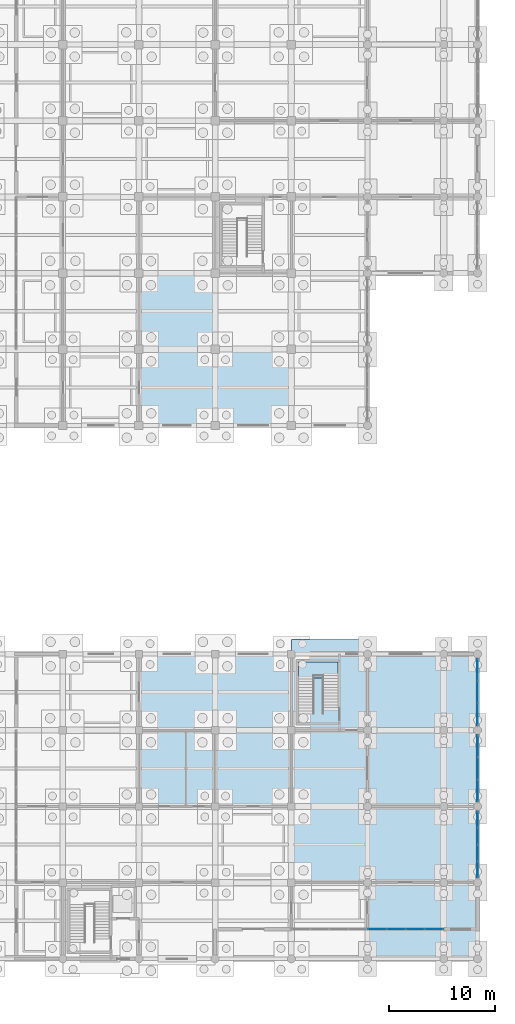
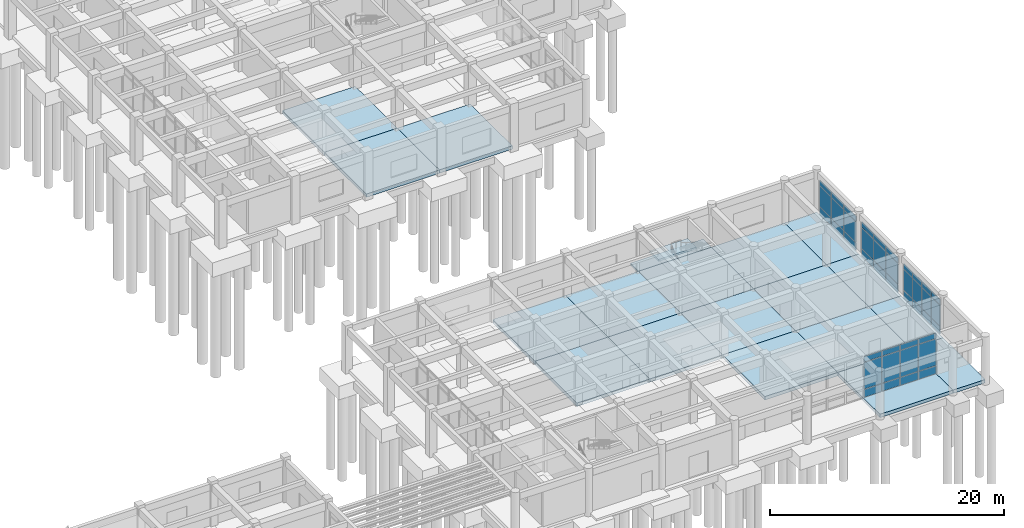
# One storey, part 50 of 79: 42 plates, 20 slabs, 5 elements without a shape of their own.
"""IFC4 building model written with IfcOpenShell, lengths in metres."""

from ifc_helpers import new_model, si_unit, direction, frame, origin, origin_2d, place, context, subcontext, project, spatial, polyline, rectangle, outline, extrude, material, layer, layer_set, type_object, element, aggregate, save


model = new_model("IFC4")

# Units and contexts
model_context = context("Model", 3, precision=1e-05, world=origin(), true_north=direction((0.0, 1.0)))
body_context = subcontext(model_context, "Body", "Model", "MODEL_VIEW")
ifc_project = project(units=[si_unit("LENGTHUNIT", "METRE"), si_unit("AREAUNIT", "SQUARE_METRE"), si_unit("VOLUMEUNIT", "CUBIC_METRE"), si_unit("PLANEANGLEUNIT", "RADIAN"), si_unit("MASSUNIT", "GRAM", prefix="KILO")], contexts=[model_context])

# Site, building, storey
site_placement = place(None, origin())
site = spatial("IfcSite", under=ifc_project, at=site_placement, CompositionType="ELEMENT")
building_placement = place(site_placement, origin())
building = spatial("IfcBuilding", under=site, at=building_placement, Name="Kavelor Marine Aquarium", CompositionType="ELEMENT")
storey_placement = place(building_placement, origin())
storey = spatial("IfcBuildingStorey", under=building, at=storey_placement, Name="L00", CompositionType="ELEMENT", Elevation=0.0)

# Curtain wall, plates
ifc_material_1 = material(Name="Thermally Broken Aluminium and Low-E Glass", Category="aluminium")
ifc_layer_1 = layer(ifc_material_1, 0.260009765625)
ifc_layer_set_1 = layer_set([ifc_layer_1], Name="CW-SYS15")
curtain_wall_type_1 = type_object("IfcCurtainWallType", Name="CW-SYS15", PredefinedType="USERDEFINED", material=ifc_layer_set_1)
curtain_wall_1_placement = place(storey_placement, origin())
curtain_wall_1 = element("IfcCurtainWall", 1, at=curtain_wall_1_placement, inside=storey, type_object=curtain_wall_type_1, Name="cw:arc:v3s:21", ObjectType="Curtain Wall", PredefinedType="USERDEFINED")
ifc_material_2 = material(Name="Solar-Control Double Low-E Glazing", Category="glass")
ifc_layer_2 = layer(ifc_material_2, 0.030029296875)
ifc_layer_set_2 = layer_set([ifc_layer_2], Name="CWP-03")
plate_type_1 = type_object("IfcPlateType", Name="CWP-03", PredefinedType="CURTAIN_PANEL", material=ifc_layer_set_2)
plate_1_placement = place(storey_placement, frame((160.68505859375, 5.60009765625, 0.06494140625), z_axis=(0.0, 0.0, 1.0), x_axis=(-1.0, 0.0, 0.0)))
plate_1 = element("IfcPlate", 2, at=plate_1_placement, type_object=plate_type_1, Name="CW15 panel 1.1", PredefinedType="CURTAIN_PANEL", context=body_context, shape_type="SweptSolid", body=[
    extrude(rectangle(XDim=1.7099609375, YDim=0.030029296875, at=origin_2d()), origin(), (0.0, 0.0, 1.0), 0.802490234375),
])
plate_2_placement = place(storey_placement, frame((160.68505859375, 5.60009765625, 0.9326171875), z_axis=(0.0, 0.0, 1.0), x_axis=(-1.0, 0.0, 0.0)))
plate_2 = element("IfcPlate", 3, at=plate_2_placement, type_object=plate_type_1, Name="CW15 panel 1.2", PredefinedType="CURTAIN_PANEL", context=body_context, shape_type="SweptSolid", body=[
    extrude(rectangle(XDim=1.7099609375, YDim=0.030029296875, at=origin_2d()), origin(), (0.0, 0.0, 1.0), 2.7548828125),
])
plate_3_placement = place(storey_placement, frame((160.68505859375, 5.60009765625, 3.75244140625), z_axis=(0.0, 0.0, 1.0), x_axis=(-1.0, 0.0, 0.0)))
plate_3 = element("IfcPlate", 4, at=plate_3_placement, type_object=plate_type_1, Name="CW15 panel 1.3", PredefinedType="CURTAIN_PANEL", context=body_context, shape_type="SweptSolid", body=[
    extrude(rectangle(XDim=1.7099609375, YDim=0.030029296875, at=origin_2d()), origin(), (0.0, 0.0, 1.0), 0.552490234375),
])
plate_4_placement = place(storey_placement, frame((158.89990234375, 5.60009765625, 0.06494140625), z_axis=(0.0, 0.0, 1.0), x_axis=(-1.0, 0.0, 0.0)))
plate_4 = element("IfcPlate", 5, at=plate_4_placement, type_object=plate_type_1, Name="CW15 panel 2.1", PredefinedType="CURTAIN_PANEL", context=body_context, shape_type="SweptSolid", body=[
    extrude(rectangle(XDim=1.739990234375, YDim=0.030029296875, at=origin_2d()), origin(), (0.0, 0.0, 1.0), 0.802490234375),
])
plate_5_placement = place(storey_placement, frame((158.89990234375, 5.60009765625, 0.9326171875), z_axis=(0.0, 0.0, 1.0), x_axis=(-1.0, 0.0, 0.0)))
plate_5 = element("IfcPlate", 6, at=plate_5_placement, type_object=plate_type_1, Name="CW15 panel 2.2", PredefinedType="CURTAIN_PANEL", context=body_context, shape_type="SweptSolid", body=[
    extrude(rectangle(XDim=1.739990234375, YDim=0.030029296875, at=origin_2d()), origin(), (0.0, 0.0, 1.0), 2.7548828125),
])
plate_6_placement = place(storey_placement, frame((158.89990234375, 5.60009765625, 3.75244140625), z_axis=(0.0, 0.0, 1.0), x_axis=(-1.0, 0.0, 0.0)))
plate_6 = element("IfcPlate", 7, at=plate_6_placement, type_object=plate_type_1, Name="CW15 panel 2.3", PredefinedType="CURTAIN_PANEL", context=body_context, shape_type="SweptSolid", body=[
    extrude(rectangle(XDim=1.739990234375, YDim=0.030029296875, at=origin_2d()), origin(), (0.0, 0.0, 1.0), 0.552490234375),
])
plate_7_placement = place(storey_placement, frame((157.10009765625, 5.60009765625, 0.06494140625), z_axis=(0.0, 0.0, 1.0), x_axis=(-1.0, 0.0, 0.0)))
plate_7 = element("IfcPlate", 8, at=plate_7_placement, type_object=plate_type_1, Name="CW15 panel 3.1", PredefinedType="CURTAIN_PANEL", context=body_context, shape_type="SweptSolid", body=[
    extrude(rectangle(XDim=1.739990234375, YDim=0.030029296875, at=origin_2d()), origin(), (0.0, 0.0, 1.0), 0.802490234375),
])
plate_8_placement = place(storey_placement, frame((157.10009765625, 5.60009765625, 0.9326171875), z_axis=(0.0, 0.0, 1.0), x_axis=(-1.0, 0.0, 0.0)))
plate_8 = element("IfcPlate", 9, at=plate_8_placement, type_object=plate_type_1, Name="CW15 panel 3.2", PredefinedType="CURTAIN_PANEL", context=body_context, shape_type="SweptSolid", body=[
    extrude(rectangle(XDim=1.739990234375, YDim=0.030029296875, at=origin_2d()), origin(), (0.0, 0.0, 1.0), 2.7548828125),
])
plate_9_placement = place(storey_placement, frame((157.10009765625, 5.60009765625, 3.75244140625), z_axis=(0.0, 0.0, 1.0), x_axis=(-1.0, 0.0, 0.0)))
plate_9 = element("IfcPlate", 10, at=plate_9_placement, type_object=plate_type_1, Name="CW15 panel 3.3", PredefinedType="CURTAIN_PANEL", context=body_context, shape_type="SweptSolid", body=[
    extrude(rectangle(XDim=1.739990234375, YDim=0.030029296875, at=origin_2d()), origin(), (0.0, 0.0, 1.0), 0.552490234375),
])
plate_10_placement = place(storey_placement, frame((155.31494140625, 5.60009765625, 0.06494140625), z_axis=(0.0, 0.0, 1.0), x_axis=(-1.0, 0.0, 0.0)))
plate_10 = element("IfcPlate", 11, at=plate_10_placement, type_object=plate_type_1, Name="CW15 panel 4.1", PredefinedType="CURTAIN_PANEL", context=body_context, shape_type="SweptSolid", body=[
    extrude(rectangle(XDim=1.7099609375, YDim=0.030029296875, at=origin_2d()), origin(), (0.0, 0.0, 1.0), 0.802490234375),
])
plate_11_placement = place(storey_placement, frame((155.31494140625, 5.60009765625, 0.9326171875), z_axis=(0.0, 0.0, 1.0), x_axis=(-1.0, 0.0, 0.0)))
plate_11 = element("IfcPlate", 12, at=plate_11_placement, type_object=plate_type_1, Name="CW15 panel 4.2", PredefinedType="CURTAIN_PANEL", context=body_context, shape_type="SweptSolid", body=[
    extrude(rectangle(XDim=1.7099609375, YDim=0.030029296875, at=origin_2d()), origin(), (0.0, 0.0, 1.0), 2.7548828125),
])
plate_12_placement = place(storey_placement, frame((155.31494140625, 5.60009765625, 3.75244140625), z_axis=(0.0, 0.0, 1.0), x_axis=(-1.0, 0.0, 0.0)))
plate_12 = element("IfcPlate", 13, at=plate_12_placement, type_object=plate_type_1, Name="CW15 panel 4.3", PredefinedType="CURTAIN_PANEL", context=body_context, shape_type="SweptSolid", body=[
    extrude(rectangle(XDim=1.7099609375, YDim=0.030029296875, at=origin_2d()), origin(), (0.0, 0.0, 1.0), 0.552490234375),
])
aggregate(curtain_wall_1, [plate_1, plate_2, plate_3, plate_4, plate_5, plate_6, plate_7, plate_8, plate_9, plate_10, plate_11, plate_12])

ifc_material_3 = material(Name="Thermally Broken Aluminium and Low-E Glass", Category="aluminium")
ifc_layer_3 = layer(ifc_material_3, 0.26806640625)
ifc_layer_set_3 = layer_set([ifc_layer_3], Name="CW-SYS16")
curtain_wall_type_2 = type_object("IfcCurtainWallType", Name="CW-SYS16", PredefinedType="USERDEFINED", material=ifc_layer_set_3)
curtain_wall_2_placement = place(storey_placement, origin())
curtain_wall_2 = element("IfcCurtainWall", 14, at=curtain_wall_2_placement, inside=storey, type_object=curtain_wall_type_2, Name="cw:y:L00:23_01", ObjectType="Curtain Wall", PredefinedType="USERDEFINED")
ifc_material_4 = material(Name="Solar-Control Double Low-E Glazing", Category="glass")
ifc_layer_4 = layer(ifc_material_4, 0.055908203125)
ifc_layer_set_4 = layer_set([ifc_layer_4], Name="CWP-16")
plate_type_2 = type_object("IfcPlateType", Name="CWP-16", PredefinedType="CURTAIN_PANEL", material=ifc_layer_set_4)
plate_13_placement = place(storey_placement, frame((164.800048828125, 11.233642578125, 0.06005859375), z_axis=(0.0, 0.0, 1.0), x_axis=(0.0, 1.0, 0.0)))
plate_13 = element("IfcPlate", 15, at=plate_13_placement, type_object=plate_type_2, Name="CW16 panel 1.1", PredefinedType="CURTAIN_PANEL", context=body_context, shape_type="SweptSolid", body=[
    extrude(rectangle(XDim=1.4775390625, YDim=0.055908203125, at=origin_2d()), origin(), (0.0, 0.0, 1.0), 0.81005859375),
])
plate_14_placement = place(storey_placement, frame((164.800048828125, 11.233642578125, 0.93017578125), z_axis=(0.0, 0.0, 1.0), x_axis=(0.0, 1.0, 0.0)))
plate_14 = element("IfcPlate", 16, at=plate_14_placement, type_object=plate_type_2, Name="CW16 panel 1.2", PredefinedType="CURTAIN_PANEL", context=body_context, shape_type="SweptSolid", body=[
    extrude(rectangle(XDim=1.4775390625, YDim=0.055908203125, at=origin_2d()), origin(), (0.0, 0.0, 1.0), 2.139892578125),
])
plate_15_placement = place(storey_placement, frame((164.800048828125, 11.233642578125, 3.1298828125), z_axis=(0.0, 0.0, 1.0), x_axis=(0.0, 1.0, 0.0)))
plate_15 = element("IfcPlate", 17, at=plate_15_placement, type_object=plate_type_2, Name="CW16 panel 1.3", PredefinedType="CURTAIN_PANEL", context=body_context, shape_type="SweptSolid", body=[
    extrude(rectangle(XDim=1.4775390625, YDim=0.055908203125, at=origin_2d()), origin(), (0.0, 0.0, 1.0), 0.56005859375),
])
plate_16_placement = place(storey_placement, frame((164.800048828125, 12.804931640625, 0.06005859375), z_axis=(0.0, 0.0, 1.0), x_axis=(0.0, 1.0, 0.0)))
plate_16 = element("IfcPlate", 18, at=plate_16_placement, type_object=plate_type_2, Name="CW16 panel 2.1", PredefinedType="CURTAIN_PANEL", context=body_context, shape_type="SweptSolid", body=[
    extrude(rectangle(XDim=1.514892578125, YDim=0.055908203125, at=origin_2d()), origin(), (0.0, 0.0, 1.0), 0.81005859375),
])
plate_17_placement = place(storey_placement, frame((164.800048828125, 12.804931640625, 0.93017578125), z_axis=(0.0, 0.0, 1.0), x_axis=(0.0, 1.0, 0.0)))
plate_17 = element("IfcPlate", 19, at=plate_17_placement, type_object=plate_type_2, Name="CW16 panel 2.2", PredefinedType="CURTAIN_PANEL", context=body_context, shape_type="SweptSolid", body=[
    extrude(rectangle(XDim=1.514892578125, YDim=0.055908203125, at=origin_2d()), origin(), (0.0, 0.0, 1.0), 2.139892578125),
])
plate_18_placement = place(storey_placement, frame((164.800048828125, 12.804931640625, 3.1298828125), z_axis=(0.0, 0.0, 1.0), x_axis=(0.0, 1.0, 0.0)))
plate_18 = element("IfcPlate", 20, at=plate_18_placement, type_object=plate_type_2, Name="CW16 panel 2.3", PredefinedType="CURTAIN_PANEL", context=body_context, shape_type="SweptSolid", body=[
    extrude(rectangle(XDim=1.514892578125, YDim=0.055908203125, at=origin_2d()), origin(), (0.0, 0.0, 1.0), 0.56005859375),
])
plate_19_placement = place(storey_placement, frame((164.800048828125, 14.39501953125, 0.06005859375), z_axis=(0.0, 0.0, 1.0), x_axis=(0.0, 1.0, 0.0)))
plate_19 = element("IfcPlate", 21, at=plate_19_placement, type_object=plate_type_2, Name="CW16 panel 3.1", PredefinedType="CURTAIN_PANEL", context=body_context, shape_type="SweptSolid", body=[
    extrude(rectangle(XDim=1.514892578125, YDim=0.055908203125, at=origin_2d()), origin(), (0.0, 0.0, 1.0), 0.81005859375),
])
plate_20_placement = place(storey_placement, frame((164.800048828125, 14.39501953125, 0.93017578125), z_axis=(0.0, 0.0, 1.0), x_axis=(0.0, 1.0, 0.0)))
plate_20 = element("IfcPlate", 22, at=plate_20_placement, type_object=plate_type_2, Name="CW16 panel 3.2", PredefinedType="CURTAIN_PANEL", context=body_context, shape_type="SweptSolid", body=[
    extrude(rectangle(XDim=1.514892578125, YDim=0.055908203125, at=origin_2d()), origin(), (0.0, 0.0, 1.0), 2.139892578125),
])
plate_21_placement = place(storey_placement, frame((164.800048828125, 14.39501953125, 3.1298828125), z_axis=(0.0, 0.0, 1.0), x_axis=(0.0, 1.0, 0.0)))
plate_21 = element("IfcPlate", 23, at=plate_21_placement, type_object=plate_type_2, Name="CW16 panel 3.3", PredefinedType="CURTAIN_PANEL", context=body_context, shape_type="SweptSolid", body=[
    extrude(rectangle(XDim=1.514892578125, YDim=0.055908203125, at=origin_2d()), origin(), (0.0, 0.0, 1.0), 0.56005859375),
])
plate_22_placement = place(storey_placement, frame((164.800048828125, 15.96630859375, 0.06005859375), z_axis=(0.0, 0.0, 1.0), x_axis=(0.0, 1.0, 0.0)))
plate_22 = element("IfcPlate", 24, at=plate_22_placement, type_object=plate_type_2, Name="CW16 panel 4.1", PredefinedType="CURTAIN_PANEL", context=body_context, shape_type="SweptSolid", body=[
    extrude(rectangle(XDim=1.4775390625, YDim=0.055908203125, at=origin_2d()), origin(), (0.0, 0.0, 1.0), 0.81005859375),
])
plate_23_placement = place(storey_placement, frame((164.800048828125, 15.96630859375, 0.93017578125), z_axis=(0.0, 0.0, 1.0), x_axis=(0.0, 1.0, 0.0)))
plate_23 = element("IfcPlate", 25, at=plate_23_placement, type_object=plate_type_2, Name="CW16 panel 4.2", PredefinedType="CURTAIN_PANEL", context=body_context, shape_type="SweptSolid", body=[
    extrude(rectangle(XDim=1.4775390625, YDim=0.055908203125, at=origin_2d()), origin(), (0.0, 0.0, 1.0), 2.139892578125),
])
plate_24_placement = place(storey_placement, frame((164.800048828125, 15.96630859375, 3.1298828125), z_axis=(0.0, 0.0, 1.0), x_axis=(0.0, 1.0, 0.0)))
plate_24 = element("IfcPlate", 26, at=plate_24_placement, type_object=plate_type_2, Name="CW16 panel 4.3", PredefinedType="CURTAIN_PANEL", context=body_context, shape_type="SweptSolid", body=[
    extrude(rectangle(XDim=1.4775390625, YDim=0.055908203125, at=origin_2d()), origin(), (0.0, 0.0, 1.0), 0.56005859375),
])
aggregate(curtain_wall_2, [plate_13, plate_14, plate_15, plate_16, plate_17, plate_18, plate_19, plate_20, plate_21, plate_22, plate_23, plate_24])

ifc_material_5 = material(Name="Thermally Broken Aluminium and Low-E Glass", Category="aluminium")
ifc_layer_5 = layer(ifc_material_5, 0.27587890625)
ifc_layer_set_5 = layer_set([ifc_layer_5], Name="CW-SYS17")
curtain_wall_type_3 = type_object("IfcCurtainWallType", Name="CW-SYS17", PredefinedType="USERDEFINED", material=ifc_layer_set_5)
curtain_wall_3_placement = place(storey_placement, origin())
curtain_wall_3 = element("IfcCurtainWall", 27, at=curtain_wall_3_placement, inside=storey, type_object=curtain_wall_type_3, Name="cw:y:L00:23_02", ObjectType="Curtain Wall", PredefinedType="USERDEFINED")
ifc_material_6 = material(Name="Solar-Control Double Low-E Glazing", Category="glass")
ifc_layer_6 = layer(ifc_material_6, 0.05810546875)
ifc_layer_set_6 = layer_set([ifc_layer_6], Name="CWP-17")
plate_type_3 = type_object("IfcPlateType", Name="CWP-17", PredefinedType="CURTAIN_PANEL", material=ifc_layer_set_6)
plate_25_placement = place(storey_placement, frame((164.800048828125, 18.6962890625, 0.06005859375), z_axis=(0.0, 0.0, 1.0), x_axis=(0.0, 1.0, 0.0)))
plate_25 = element("IfcPlate", 28, at=plate_25_placement, type_object=plate_type_3, Name="CW17 panel 1.1", PredefinedType="CURTAIN_PANEL", context=body_context, shape_type="SweptSolid", body=[
    extrude(rectangle(XDim=2.0224609375, YDim=0.05810546875, at=origin_2d()), origin(), (0.0, 0.0, 1.0), 0.81005859375),
])
plate_26_placement = place(storey_placement, frame((164.800048828125, 18.6962890625, 0.93017578125), z_axis=(0.0, 0.0, 1.0), x_axis=(0.0, 1.0, 0.0)))
plate_26 = element("IfcPlate", 29, at=plate_26_placement, type_object=plate_type_3, Name="CW17 panel 1.2", PredefinedType="CURTAIN_PANEL", context=body_context, shape_type="SweptSolid", body=[
    extrude(rectangle(XDim=2.0224609375, YDim=0.05810546875, at=origin_2d()), origin(), (0.0, 0.0, 1.0), 2.139892578125),
])
plate_27_placement = place(storey_placement, frame((164.800048828125, 18.6962890625, 3.1298828125), z_axis=(0.0, 0.0, 1.0), x_axis=(0.0, 1.0, 0.0)))
plate_27 = element("IfcPlate", 30, at=plate_27_placement, type_object=plate_type_3, Name="CW17 panel 1.3", PredefinedType="CURTAIN_PANEL", context=body_context, shape_type="SweptSolid", body=[
    extrude(rectangle(XDim=2.0224609375, YDim=0.05810546875, at=origin_2d()), origin(), (0.0, 0.0, 1.0), 0.56005859375),
])
plate_28_placement = place(storey_placement, frame((164.800048828125, 20.800048828125, 0.06005859375), z_axis=(0.0, 0.0, 1.0), x_axis=(0.0, 1.0, 0.0)))
plate_28 = element("IfcPlate", 31, at=plate_28_placement, type_object=plate_type_3, Name="CW17 panel 2.1", PredefinedType="CURTAIN_PANEL", context=body_context, shape_type="SweptSolid", body=[
    extrude(rectangle(XDim=2.054931640625, YDim=0.05810546875, at=origin_2d()), origin(), (0.0, 0.0, 1.0), 0.81005859375),
])
plate_29_placement = place(storey_placement, frame((164.800048828125, 20.800048828125, 0.93017578125), z_axis=(0.0, 0.0, 1.0), x_axis=(0.0, 1.0, 0.0)))
plate_29 = element("IfcPlate", 32, at=plate_29_placement, type_object=plate_type_3, Name="CW17 panel 2.2", PredefinedType="CURTAIN_PANEL", context=body_context, shape_type="SweptSolid", body=[
    extrude(rectangle(XDim=2.054931640625, YDim=0.05810546875, at=origin_2d()), origin(), (0.0, 0.0, 1.0), 2.139892578125),
])
plate_30_placement = place(storey_placement, frame((164.800048828125, 20.800048828125, 3.1298828125), z_axis=(0.0, 0.0, 1.0), x_axis=(0.0, 1.0, 0.0)))
plate_30 = element("IfcPlate", 33, at=plate_30_placement, type_object=plate_type_3, Name="CW17 panel 2.3", PredefinedType="CURTAIN_PANEL", context=body_context, shape_type="SweptSolid", body=[
    extrude(rectangle(XDim=2.054931640625, YDim=0.05810546875, at=origin_2d()), origin(), (0.0, 0.0, 1.0), 0.56005859375),
])
plate_31_placement = place(storey_placement, frame((164.800048828125, 22.90380859375, 0.06005859375), z_axis=(0.0, 0.0, 1.0), x_axis=(0.0, 1.0, 0.0)))
plate_31 = element("IfcPlate", 34, at=plate_31_placement, type_object=plate_type_3, Name="CW17 panel 3.1", PredefinedType="CURTAIN_PANEL", context=body_context, shape_type="SweptSolid", body=[
    extrude(rectangle(XDim=2.0224609375, YDim=0.05810546875, at=origin_2d()), origin(), (0.0, 0.0, 1.0), 0.81005859375),
])
plate_32_placement = place(storey_placement, frame((164.800048828125, 22.90380859375, 0.93017578125), z_axis=(0.0, 0.0, 1.0), x_axis=(0.0, 1.0, 0.0)))
plate_32 = element("IfcPlate", 35, at=plate_32_placement, type_object=plate_type_3, Name="CW17 panel 3.2", PredefinedType="CURTAIN_PANEL", context=body_context, shape_type="SweptSolid", body=[
    extrude(rectangle(XDim=2.0224609375, YDim=0.05810546875, at=origin_2d()), origin(), (0.0, 0.0, 1.0), 2.139892578125),
])
plate_33_placement = place(storey_placement, frame((164.800048828125, 22.90380859375, 3.1298828125), z_axis=(0.0, 0.0, 1.0), x_axis=(0.0, 1.0, 0.0)))
plate_33 = element("IfcPlate", 36, at=plate_33_placement, type_object=plate_type_3, Name="CW17 panel 3.3", PredefinedType="CURTAIN_PANEL", context=body_context, shape_type="SweptSolid", body=[
    extrude(rectangle(XDim=2.0224609375, YDim=0.05810546875, at=origin_2d()), origin(), (0.0, 0.0, 1.0), 0.56005859375),
])
aggregate(curtain_wall_3, [plate_25, plate_26, plate_27, plate_28, plate_29, plate_30, plate_31, plate_32, plate_33])

ifc_material_7 = material(Name="Thermally Broken Aluminium and Low-E Glass", Category="aluminium")
ifc_layer_7 = layer(ifc_material_7, 0.283935546875)
ifc_layer_set_7 = layer_set([ifc_layer_7], Name="CW-SYS18")
curtain_wall_type_4 = type_object("IfcCurtainWallType", Name="CW-SYS18", PredefinedType="USERDEFINED", material=ifc_layer_set_7)
curtain_wall_4_placement = place(storey_placement, origin())
curtain_wall_4 = element("IfcCurtainWall", 37, at=curtain_wall_4_placement, inside=storey, type_object=curtain_wall_type_4, Name="cw:y:L00:23_03", ObjectType="Curtain Wall", PredefinedType="USERDEFINED")
ifc_material_8 = material(Name="Solar-Control Double Low-E Glazing", Category="glass")
ifc_layer_8 = layer(ifc_material_8, 0.06005859375)
ifc_layer_set_8 = layer_set([ifc_layer_8], Name="CWP-18")
plate_type_4 = type_object("IfcPlateType", Name="CWP-18", PredefinedType="CURTAIN_PANEL", material=ifc_layer_set_8)
plate_34_placement = place(storey_placement, frame((164.800048828125, 25.89501953125, 0.074951171875), z_axis=(0.0, 0.0, 1.0), x_axis=(0.0, 1.0, 0.0)))
plate_34 = element("IfcPlate", 38, at=plate_34_placement, type_object=plate_type_4, Name="CW18 panel 1.1", PredefinedType="CURTAIN_PANEL", context=body_context, shape_type="SweptSolid", body=[
    extrude(rectangle(XDim=2.030029296875, YDim=0.06005859375, at=origin_2d()), origin(), (0.0, 0.0, 1.0), 0.78759765625),
])
plate_35_placement = place(storey_placement, frame((164.800048828125, 25.89501953125, 0.9375), z_axis=(0.0, 0.0, 1.0), x_axis=(0.0, 1.0, 0.0)))
plate_35 = element("IfcPlate", 39, at=plate_35_placement, type_object=plate_type_4, Name="CW18 panel 1.2", PredefinedType="CURTAIN_PANEL", context=body_context, shape_type="SweptSolid", body=[
    extrude(rectangle(XDim=2.030029296875, YDim=0.06005859375, at=origin_2d()), origin(), (0.0, 0.0, 1.0), 2.125),
])
plate_36_placement = place(storey_placement, frame((164.800048828125, 25.89501953125, 3.137451171875), z_axis=(0.0, 0.0, 1.0), x_axis=(0.0, 1.0, 0.0)))
plate_36 = element("IfcPlate", 40, at=plate_36_placement, type_object=plate_type_4, Name="CW18 panel 1.3", PredefinedType="CURTAIN_PANEL", context=body_context, shape_type="SweptSolid", body=[
    extrude(rectangle(XDim=2.030029296875, YDim=0.06005859375, at=origin_2d()), origin(), (0.0, 0.0, 1.0), 0.53759765625),
])
plate_37_placement = place(storey_placement, frame((164.800048828125, 28.0, 0.074951171875), z_axis=(0.0, 0.0, 1.0), x_axis=(0.0, 1.0, 0.0)))
plate_37 = element("IfcPlate", 41, at=plate_37_placement, type_object=plate_type_4, Name="CW18 panel 2.1", PredefinedType="CURTAIN_PANEL", context=body_context, shape_type="SweptSolid", body=[
    extrude(rectangle(XDim=2.06005859375, YDim=0.06005859375, at=origin_2d()), origin(), (0.0, 0.0, 1.0), 0.78759765625),
])
plate_38_placement = place(storey_placement, frame((164.800048828125, 28.0, 0.9375), z_axis=(0.0, 0.0, 1.0), x_axis=(0.0, 1.0, 0.0)))
plate_38 = element("IfcPlate", 42, at=plate_38_placement, type_object=plate_type_4, Name="CW18 panel 2.2", PredefinedType="CURTAIN_PANEL", context=body_context, shape_type="SweptSolid", body=[
    extrude(rectangle(XDim=2.06005859375, YDim=0.06005859375, at=origin_2d()), origin(), (0.0, 0.0, 1.0), 2.125),
])
plate_39_placement = place(storey_placement, frame((164.800048828125, 28.0, 3.137451171875), z_axis=(0.0, 0.0, 1.0), x_axis=(0.0, 1.0, 0.0)))
plate_39 = element("IfcPlate", 43, at=plate_39_placement, type_object=plate_type_4, Name="CW18 panel 2.3", PredefinedType="CURTAIN_PANEL", context=body_context, shape_type="SweptSolid", body=[
    extrude(rectangle(XDim=2.06005859375, YDim=0.06005859375, at=origin_2d()), origin(), (0.0, 0.0, 1.0), 0.53759765625),
])
plate_40_placement = place(storey_placement, frame((164.800048828125, 30.10498046875, 0.074951171875), z_axis=(0.0, 0.0, 1.0), x_axis=(0.0, 1.0, 0.0)))
plate_40 = element("IfcPlate", 44, at=plate_40_placement, type_object=plate_type_4, Name="CW18 panel 3.1", PredefinedType="CURTAIN_PANEL", context=body_context, shape_type="SweptSolid", body=[
    extrude(rectangle(XDim=2.030029296875, YDim=0.06005859375, at=origin_2d()), origin(), (0.0, 0.0, 1.0), 0.78759765625),
])
plate_41_placement = place(storey_placement, frame((164.800048828125, 30.10498046875, 0.9375), z_axis=(0.0, 0.0, 1.0), x_axis=(0.0, 1.0, 0.0)))
plate_41 = element("IfcPlate", 45, at=plate_41_placement, type_object=plate_type_4, Name="CW18 panel 3.2", PredefinedType="CURTAIN_PANEL", context=body_context, shape_type="SweptSolid", body=[
    extrude(rectangle(XDim=2.030029296875, YDim=0.06005859375, at=origin_2d()), origin(), (0.0, 0.0, 1.0), 2.125),
])
plate_42_placement = place(storey_placement, frame((164.800048828125, 30.10498046875, 3.137451171875), z_axis=(0.0, 0.0, 1.0), x_axis=(0.0, 1.0, 0.0)))
plate_42 = element("IfcPlate", 46, at=plate_42_placement, type_object=plate_type_4, Name="CW18 panel 3.3", PredefinedType="CURTAIN_PANEL", context=body_context, shape_type="SweptSolid", body=[
    extrude(rectangle(XDim=2.030029296875, YDim=0.06005859375, at=origin_2d()), origin(), (0.0, 0.0, 1.0), 0.53759765625),
])
aggregate(curtain_wall_4, [plate_34, plate_35, plate_36, plate_37, plate_38, plate_39, plate_40, plate_41, plate_42])

# Stair, slab
ifc_material_9 = material(Name="Concrete C40/50", Category="concrete")
stair_type = type_object("IfcStairType", Name="ST-T1", PredefinedType="HALF_TURN_STAIR", material=ifc_material_9)
stair_placement = place(storey_placement, origin())
stair = element("IfcStair", 47, at=stair_placement, inside=storey, type_object=stair_type, Name="Exit Stair ST09 (L00)", PredefinedType="HALF_TURN_STAIR")
ifc_material_10 = material(Name="Concrete C40/50", Category="concrete")
ifc_layer_9 = layer(ifc_material_10, 0.199951171875)
ifc_layer_set_9 = layer_set([ifc_layer_9], Name="LND-T1")
slab_type_1 = type_object("IfcSlabType", Name="LND-T1", PredefinedType="LANDING", material=ifc_layer_set_9)
slab_1_placement = place(storey_placement, frame((0.0, 0.0, 2.139892578125)))
slab_1 = element("IfcSlab", 48, at=slab_1_placement, type_object=slab_type_1, Name="ST09 landing 1", PredefinedType="LANDING", context=body_context, shape_type="SweptSolid", body=[
    extrude(outline(polyline([(147.860107421875, 29.35498046875), (151.6201171875, 29.35498046875), (151.6201171875, 30.860107421875), (147.860107421875, 30.860107421875), (147.860107421875, 29.35498046875)])), origin(), (0.0, 0.0, 1.0), 0.2001953125),
])
aggregate(stair, [slab_1])

# Slabs
ifc_material_11 = material(Name="Textured Coastal Granite Paving", Category="masonry")
ifc_layer_10 = layer(ifc_material_11, 0.199951171875)
ifc_layer_set_10 = layer_set([ifc_layer_10], Name="SL-AP1")
slab_type_2 = type_object("IfcSlabType", Name="SL-AP1", PredefinedType="BASESLAB", material=ifc_layer_set_10)
slab_2_placement = place(storey_placement, frame((0.0, 0.0, -0.199951171875)))
element("IfcSlab", 49, at=slab_2_placement, inside=storey, type_object=slab_type_2, Name="apron:sd2:x:20_04", PredefinedType="BASESLAB", context=body_context, shape_type="SweptSolid", body=[
    extrude(outline(polyline([(147.199951171875, 31.60009765625), (154.39990234375, 31.60009765625), (154.39990234375, 33.0), (147.199951171875, 33.0), (147.199951171875, 31.60009765625)])), origin(), (0.0, 0.0, 1.0), 0.199951171875),
])
ifc_material_12 = material(Name="Concrete C40/50", Category="concrete")
ifc_layer_11 = layer(ifc_material_12, 0.35009765625)
ifc_layer_set_11 = layer_set([ifc_layer_11], Name="SL-BS2")
slab_type_3 = type_object("IfcSlabType", Name="SL-BS2", PredefinedType="BASESLAB", material=ifc_layer_set_11)
slab_3_placement = place(storey_placement, frame((0.0, 0.0, -0.35009765625)))
element("IfcSlab", 50, at=slab_3_placement, inside=storey, type_object=slab_type_3, Name="slab:L00:18_02", PredefinedType="BASESLAB", context=body_context, shape_type="SweptSolid", body=[
    extrude(outline(polyline([(132.800048828125, 17.199951171875), (140.0, 17.199951171875), (140.0, 24.39990234375), (132.800048828125, 24.39990234375), (132.800048828125, 17.199951171875)])), origin(), (0.0, 0.0, 1.0), 0.35009765625),
])
slab_4_placement = place(storey_placement, frame((0.0, 0.0, -0.35009765625)))
element("IfcSlab", 51, at=slab_4_placement, inside=storey, type_object=slab_type_3, Name="slab:L00:18_03", PredefinedType="BASESLAB", context=body_context, shape_type="SweptSolid", body=[
    extrude(outline(polyline([(132.800048828125, 24.39990234375), (140.0, 24.39990234375), (140.0, 31.60009765625), (132.800048828125, 31.60009765625), (132.800048828125, 24.39990234375)])), origin(), (0.0, 0.0, 1.0), 0.35009765625),
])
slab_5_placement = place(storey_placement, frame((0.0, 0.0, -0.35009765625)))
element("IfcSlab", 52, at=slab_5_placement, inside=storey, type_object=slab_type_3, Name="slab:L00:18_07", PredefinedType="BASESLAB", context=body_context, shape_type="SweptSolid", body=[
    extrude(outline(polyline([(132.800048828125, 53.199951171875), (140.0, 53.199951171875), (140.0, 60.39990234375), (132.800048828125, 60.39990234375), (132.800048828125, 53.199951171875)])), origin(), (0.0, 0.0, 1.0), 0.35009765625),
])
slab_6_placement = place(storey_placement, frame((0.0, 0.0, -0.35009765625)))
element("IfcSlab", 53, at=slab_6_placement, inside=storey, type_object=slab_type_3, Name="slab:L00:18_08", PredefinedType="BASESLAB", context=body_context, shape_type="SweptSolid", body=[
    extrude(outline(polyline([(132.800048828125, 60.39990234375), (140.0, 60.39990234375), (140.0, 67.60009765625), (132.800048828125, 67.60009765625), (132.800048828125, 60.39990234375)])), origin(), (0.0, 0.0, 1.0), 0.35009765625),
])
slab_7_placement = place(storey_placement, frame((0.0, 0.0, -0.35009765625)))
element("IfcSlab", 54, at=slab_7_placement, inside=storey, type_object=slab_type_3, Name="slab:L00:19_02", PredefinedType="BASESLAB", context=body_context, shape_type="SweptSolid", body=[
    extrude(outline(polyline([(140.0, 17.199951171875), (147.199951171875, 17.199951171875), (147.199951171875, 24.39990234375), (140.0, 24.39990234375), (140.0, 17.199951171875)])), origin(), (0.0, 0.0, 1.0), 0.35009765625),
])
slab_8_placement = place(storey_placement, frame((0.0, 0.0, -0.35009765625)))
element("IfcSlab", 55, at=slab_8_placement, inside=storey, type_object=slab_type_3, Name="slab:L00:19_03", PredefinedType="BASESLAB", context=body_context, shape_type="SweptSolid", body=[
    extrude(outline(polyline([(140.0, 24.39990234375), (147.199951171875, 24.39990234375), (147.199951171875, 31.60009765625), (140.0, 31.60009765625), (140.0, 24.39990234375)])), origin(), (0.0, 0.0, 1.0), 0.35009765625),
])
slab_9_placement = place(storey_placement, frame((0.0, 0.0, -0.35009765625)))
element("IfcSlab", 56, at=slab_9_placement, inside=storey, type_object=slab_type_3, Name="slab:L00:19_07", PredefinedType="BASESLAB", context=body_context, shape_type="SweptSolid", body=[
    extrude(outline(polyline([(140.0, 53.199951171875), (147.199951171875, 53.199951171875), (147.199951171875, 60.39990234375), (140.0, 60.39990234375), (140.0, 53.199951171875)])), origin(), (0.0, 0.0, 1.0), 0.35009765625),
])
slab_10_placement = place(storey_placement, frame((0.0, 0.0, -0.35009765625)))
element("IfcSlab", 57, at=slab_10_placement, inside=storey, type_object=slab_type_3, Name="slab:L00:20_01", PredefinedType="BASESLAB", context=body_context, shape_type="SweptSolid", body=[
    extrude(outline(polyline([(147.199951171875, 10.0), (154.39990234375, 10.0), (154.39990234375, 17.199951171875), (147.199951171875, 17.199951171875), (147.199951171875, 10.0)])), origin(), (0.0, 0.0, 1.0), 0.35009765625),
])
slab_11_placement = place(storey_placement, frame((0.0, 0.0, -0.35009765625)))
element("IfcSlab", 58, at=slab_11_placement, inside=storey, type_object=slab_type_3, Name="slab:L00:20_02", PredefinedType="BASESLAB", context=body_context, shape_type="SweptSolid", body=[
    extrude(outline(polyline([(147.199951171875, 17.199951171875), (154.39990234375, 17.199951171875), (154.39990234375, 24.39990234375), (147.199951171875, 24.39990234375), (147.199951171875, 17.199951171875)])), origin(), (0.0, 0.0, 1.0), 0.35009765625),
])
slab_12_placement = place(storey_placement, frame((0.0, 0.0, -0.35009765625)))
element("IfcSlab", 59, at=slab_12_placement, inside=storey, type_object=slab_type_3, Name="slab:L00:20_03", PredefinedType="BASESLAB", context=body_context, shape_type="SweptSolid", body=[
    extrude(outline(polyline([(147.199951171875, 24.39990234375), (154.39990234375, 24.39990234375), (154.39990234375, 31.60009765625), (147.199951171875, 31.60009765625), (147.199951171875, 24.39990234375)])), origin(), (0.0, 0.0, 1.0), 0.35009765625),
])
slab_13_placement = place(storey_placement, frame((0.0, 0.0, -0.35009765625)))
element("IfcSlab", 60, at=slab_13_placement, inside=storey, type_object=slab_type_3, Name="slab:L00:21_00", PredefinedType="BASESLAB", context=body_context, shape_type="SweptSolid", body=[
    extrude(outline(polyline([(154.39990234375, 2.800048828125), (161.60009765625, 2.800048828125), (161.60009765625, 10.0), (154.39990234375, 10.0), (154.39990234375, 2.800048828125)])), origin(), (0.0, 0.0, 1.0), 0.35009765625),
])
slab_14_placement = place(storey_placement, frame((0.0, 0.0, -0.35009765625)))
element("IfcSlab", 61, at=slab_14_placement, inside=storey, type_object=slab_type_3, Name="slab:L00:21_01", PredefinedType="BASESLAB", context=body_context, shape_type="SweptSolid", body=[
    extrude(outline(polyline([(154.39990234375, 10.0), (161.60009765625, 10.0), (161.60009765625, 17.199951171875), (154.39990234375, 17.199951171875), (154.39990234375, 10.0)])), origin(), (0.0, 0.0, 1.0), 0.35009765625),
])
slab_15_placement = place(storey_placement, frame((0.0, 0.0, -0.35009765625)))
element("IfcSlab", 62, at=slab_15_placement, inside=storey, type_object=slab_type_3, Name="slab:L00:21_02", PredefinedType="BASESLAB", context=body_context, shape_type="SweptSolid", body=[
    extrude(outline(polyline([(154.39990234375, 17.199951171875), (161.60009765625, 17.199951171875), (161.60009765625, 24.39990234375), (154.39990234375, 24.39990234375), (154.39990234375, 17.199951171875)])), origin(), (0.0, 0.0, 1.0), 0.35009765625),
])
slab_16_placement = place(storey_placement, frame((0.0, 0.0, -0.35009765625)))
element("IfcSlab", 63, at=slab_16_placement, inside=storey, type_object=slab_type_3, Name="slab:L00:21_03", PredefinedType="BASESLAB", context=body_context, shape_type="SweptSolid", body=[
    extrude(outline(polyline([(154.39990234375, 24.39990234375), (161.60009765625, 24.39990234375), (161.60009765625, 31.60009765625), (154.39990234375, 31.60009765625), (154.39990234375, 24.39990234375)])), origin(), (0.0, 0.0, 1.0), 0.35009765625),
])
slab_17_placement = place(storey_placement, frame((0.0, 0.0, -0.35009765625)))
element("IfcSlab", 64, at=slab_17_placement, inside=storey, type_object=slab_type_3, Name="slab:L00:22_00", PredefinedType="BASESLAB", context=body_context, shape_type="SweptSolid", body=[
    extrude(outline(polyline([(161.60009765625, 2.800048828125), (164.800048828125, 2.800048828125), (164.800048828125, 10.0), (161.60009765625, 10.0), (161.60009765625, 2.800048828125)])), origin(), (0.0, 0.0, 1.0), 0.35009765625),
])
slab_18_placement = place(storey_placement, frame((0.0, 0.0, -0.35009765625)))
element("IfcSlab", 65, at=slab_18_placement, inside=storey, type_object=slab_type_3, Name="slab:L00:22_01", PredefinedType="BASESLAB", context=body_context, shape_type="SweptSolid", body=[
    extrude(outline(polyline([(161.60009765625, 10.0), (164.800048828125, 10.0), (164.800048828125, 17.199951171875), (161.60009765625, 17.199951171875), (161.60009765625, 10.0)])), origin(), (0.0, 0.0, 1.0), 0.35009765625),
])
slab_19_placement = place(storey_placement, frame((0.0, 0.0, -0.35009765625)))
element("IfcSlab", 66, at=slab_19_placement, inside=storey, type_object=slab_type_3, Name="slab:L00:22_02", PredefinedType="BASESLAB", context=body_context, shape_type="SweptSolid", body=[
    extrude(outline(polyline([(161.60009765625, 17.199951171875), (164.800048828125, 17.199951171875), (164.800048828125, 24.39990234375), (161.60009765625, 24.39990234375), (161.60009765625, 17.199951171875)])), origin(), (0.0, 0.0, 1.0), 0.35009765625),
])
slab_20_placement = place(storey_placement, frame((0.0, 0.0, -0.35009765625)))
element("IfcSlab", 67, at=slab_20_placement, inside=storey, type_object=slab_type_3, Name="slab:L00:22_03", PredefinedType="BASESLAB", context=body_context, shape_type="SweptSolid", body=[
    extrude(outline(polyline([(161.60009765625, 24.39990234375), (164.800048828125, 24.39990234375), (164.800048828125, 31.60009765625), (161.60009765625, 31.60009765625), (161.60009765625, 24.39990234375)])), origin(), (0.0, 0.0, 1.0), 0.35009765625),
])

save(model, "model.ifc")
